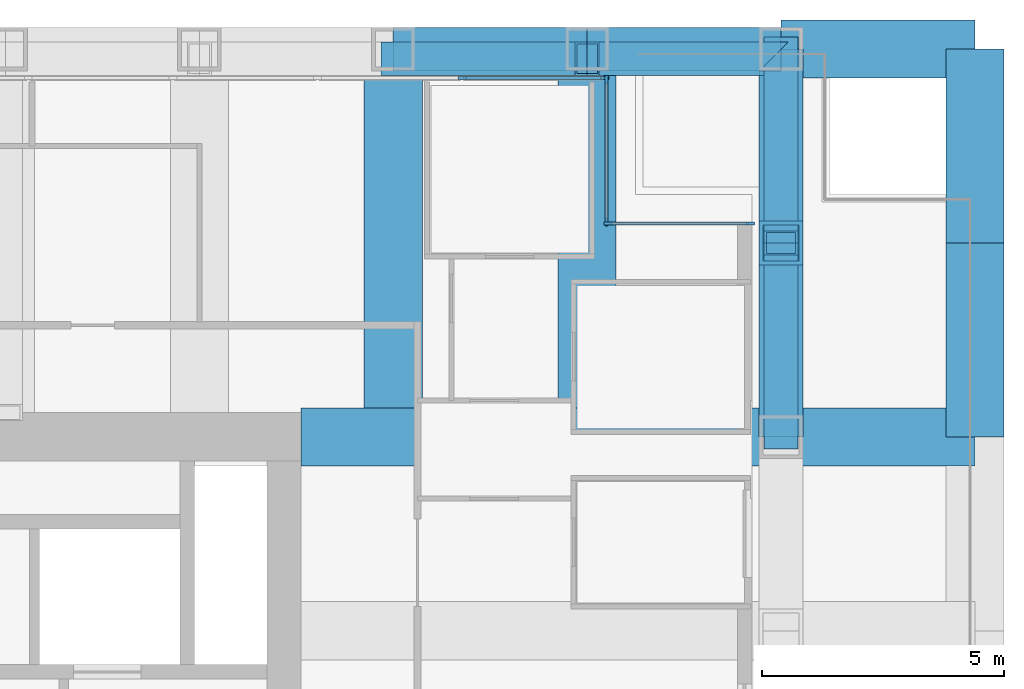
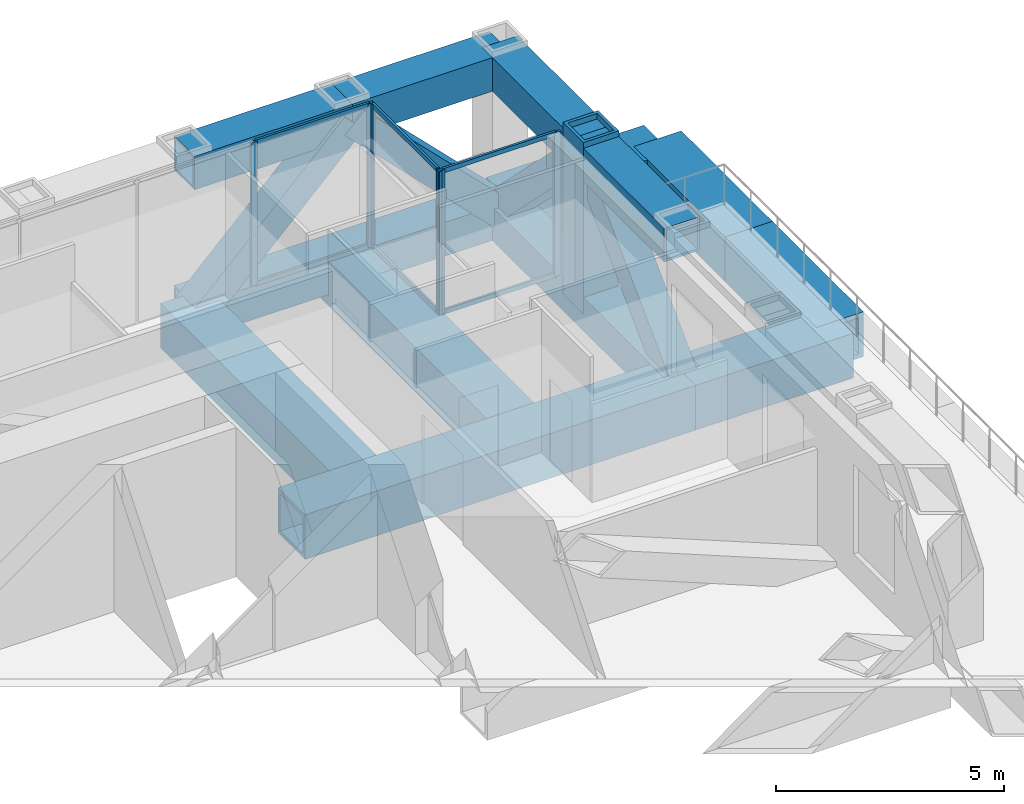
# One storey, part 7 of 14: 17 members, 14 beams, 3 elements without a shape of their own.
"""IFC4 building model written with IfcOpenShell, lengths in metres."""

from ifc_helpers import new_model, si_unit, direction, frame, origin, origin_2d, place, context, subcontext, project, spatial, rectangle, hollow_rectangle, extrude, material, material_profile, profile_set, type_object, element, aggregate, save


model = new_model("IFC4")

# Units and contexts
model_context = context("Model", 3, precision=1e-05, world=origin(), true_north=direction((0.0, 1.0)))
body_context = subcontext(model_context, "Body", "Model", "MODEL_VIEW")
ifc_project = project(units=[si_unit("LENGTHUNIT", "METRE"), si_unit("AREAUNIT", "SQUARE_METRE"), si_unit("VOLUMEUNIT", "CUBIC_METRE"), si_unit("PLANEANGLEUNIT", "RADIAN"), si_unit("MASSUNIT", "GRAM", prefix="KILO")], contexts=[model_context])

# Site, building, storey
site_placement = place(None, origin())
site = spatial("IfcSite", under=ifc_project, at=site_placement, CompositionType="ELEMENT")
building_placement = place(site_placement, origin())
building = spatial("IfcBuilding", under=site, at=building_placement, Name="Rimbunsela Tower", CompositionType="ELEMENT")
storey_placement = place(building_placement, frame((0.0, 0.0, 270.199951171875)))
storey = spatial("IfcBuildingStorey", under=building, at=storey_placement, Name="L65", CompositionType="ELEMENT", Elevation=270.199951171875)

# Beams
ifc_material_1 = material(Name="Steel BJ 55 (fy 410 MPa)", Category="steel")
ifc_material_profile_1 = material_profile(ifc_material_1, hollow_rectangle(XDim=1.199951171875, YDim=1.199951171875, WallThickness=0.10009765625, at=origin_2d()), Name="BOX 1200x1200x100")
ifc_profile_set_1 = profile_set([ifc_material_profile_1], Name="Steel BJ 55 (fy 410 MPa)")
beam_type_1 = type_object("IfcBeamType", Name="Beam BOX 1200x1200x100", PredefinedType="BEAM", material=ifc_profile_set_1)
beam_1_placement = place(storey_placement, frame((36.10009765625, 36.0, -0.75), z_axis=(1.0, 0.0, 0.0), x_axis=(0.0, 1.0, 0.0)))
element("IfcBeam", 1, at=beam_1_placement, inside=storey, type_object=beam_type_1, Name="Beam B5 L65", PredefinedType="BEAM", context=body_context, shape_type="SweptSolid", body=[
    extrude(hollow_rectangle(XDim=1.199951171875, YDim=1.199951171875, WallThickness=0.10009765625, at=origin_2d()), origin(), (0.0, 0.0, 1.0), 9.89990234375),
])
ifc_material_2 = material(Name="Steel BJ 55 (fy 410 MPa)", Category="steel")
ifc_material_profile_2 = material_profile(ifc_material_2, hollow_rectangle(XDim=1.199951171875, YDim=1.199951171875, WallThickness=0.125, at=origin_2d()), Name="BOX 1200x1200x125")
ifc_profile_set_2 = profile_set([ifc_material_profile_2], Name="Steel BJ 55 (fy 410 MPa)")
beam_type_2 = type_object("IfcBeamType", Name="Beam BOX 1200x1200x125", PredefinedType="BEAM", material=ifc_profile_set_2)
for number, where, z_axis, x_axis, name in (
    (2, (38.0, 36.60009765625, -0.75), (0.0, 1.0, 0.0), (-1.0, 0.0, 0.0), "Beam B4 L65"),
    (3, (42.0, 36.60009765625, -0.75), (0.0, 1.0, 0.0), (-1.0, 0.0, 0.0), "Beam B4 L65"),
):
    element("IfcBeam", number, at=place(storey_placement, frame(where, z_axis=z_axis, x_axis=x_axis)), inside=storey, type_object=beam_type_2, Name=name, PredefinedType="BEAM", context=body_context, shape_type="SweptSolid", body=[
        extrude(hollow_rectangle(XDim=1.199951171875, YDim=1.199951171875, WallThickness=0.125, at=origin_2d()), origin(), (0.0, 0.0, 1.0), 7.39990234375),
    ])
for number, where, z_axis, x_axis, name in (
    (4, (46.0, 36.0, -0.75), (1.0, 0.0, 0.0), (0.0, 1.0, 0.0), "Beam B4 L65"),
    (5, (46.0, 44.0, -0.75), (1.0, 0.0, 0.0), (0.0, 1.0, 0.0), "Beam B4 L65"),
    (6, (50.0, 36.0, -0.75), (0.0, 1.0, 0.0), (-1.0, 0.0, 0.0), "Beam B4 L65"),
    (7, (50.0, 40.0, -0.75), (0.0, 1.0, 0.0), (-1.0, 0.0, 0.0), "Beam B4 L65"),
):
    element("IfcBeam", number, at=place(storey_placement, frame(where, z_axis=z_axis, x_axis=x_axis)), inside=storey, type_object=beam_type_2, Name=name, PredefinedType="BEAM", context=body_context, shape_type="SweptSolid", body=[
        extrude(hollow_rectangle(XDim=1.199951171875, YDim=1.199951171875, WallThickness=0.125, at=origin_2d()), origin(), (0.0, 0.0, 1.0), 4.0),
    ])

# Curtain wall, members
ifc_material_3 = material(Name="Aluminium curtain wall", Category="aluminium")
curtain_wall_type_1 = type_object("IfcCurtainWallType", Name="Corner glazing", PredefinedType="USERDEFINED", material=ifc_material_3)
curtain_wall_1_placement = place(storey_placement, origin())
curtain_wall_1 = element("IfcCurtainWall", 8, at=curtain_wall_1_placement, inside=storey, type_object=curtain_wall_type_1, Name="Corner glazing L65", ObjectType="CORNER GLAZING", PredefinedType="USERDEFINED")
ifc_material_4 = material(Name="Aluminium mullion", Category="aluminium")
ifc_material_profile_3 = material_profile(ifc_material_4, rectangle(XDim=0.06005859375, YDim=0.159912109375, at=origin_2d()), Name="Mullion 60x160")
ifc_profile_set_3 = profile_set([ifc_material_profile_3], Name="Aluminium mullion")
member_type_1 = type_object("IfcMemberType", Name="Curtain wall mullion 60x160", PredefinedType="MULLION", material=ifc_profile_set_3)
member_1_placement = place(storey_placement, frame((45.3701171875, 40.39990234375, 0.0), z_axis=(0.0, 0.0, 1.0), x_axis=(0.0, -1.0, 0.0)))
member_1 = element("IfcMember", 9, at=member_1_placement, type_object=member_type_1, Name="CW5 mullion 1", PredefinedType="MULLION", context=body_context, shape_type="SweptSolid", body=[
    extrude(rectangle(XDim=0.06005859375, YDim=0.159912109375, at=origin_2d()), origin(), (0.0, 0.0, 1.0), 3.85009765625),
])
member_2_placement = place(storey_placement, frame((42.429931640625, 40.39990234375, 0.0), z_axis=(0.0, 0.0, 1.0), x_axis=(0.0, -1.0, 0.0)))
member_2 = element("IfcMember", 10, at=member_2_placement, type_object=member_type_1, Name="CW5 mullion 2", PredefinedType="MULLION", context=body_context, shape_type="SweptSolid", body=[
    extrude(rectangle(XDim=0.06005859375, YDim=0.159912109375, at=origin_2d()), origin(), (0.0, 0.0, 1.0), 3.85009765625),
])

curtain_wall_2_placement = place(storey_placement, origin())
curtain_wall_2 = element("IfcCurtainWall", 11, at=curtain_wall_2_placement, inside=storey, type_object=curtain_wall_type_1, Name="Corner glazing L65", ObjectType="CORNER GLAZING", PredefinedType="USERDEFINED")
member_3_placement = place(storey_placement, frame((42.39990234375, 40.429931640625, 0.0), z_axis=(0.0, 0.0, 1.0), x_axis=(-1.0, 0.0, 0.0)))
member_3 = element("IfcMember", 12, at=member_3_placement, type_object=member_type_1, Name="CW5 mullion 1", PredefinedType="MULLION", context=body_context, shape_type="SweptSolid", body=[
    extrude(rectangle(XDim=0.06005859375, YDim=0.159912109375, at=origin_2d()), origin(), (0.0, 0.0, 1.0), 3.85009765625),
])
member_4_placement = place(storey_placement, frame((42.39990234375, 43.3701171875, 0.0), z_axis=(0.0, 0.0, 1.0), x_axis=(-1.0, 0.0, 0.0)))
member_4 = element("IfcMember", 13, at=member_4_placement, type_object=member_type_1, Name="CW5 mullion 2", PredefinedType="MULLION", context=body_context, shape_type="SweptSolid", body=[
    extrude(rectangle(XDim=0.06005859375, YDim=0.159912109375, at=origin_2d()), origin(), (0.0, 0.0, 1.0), 3.85009765625),
])

ifc_material_5 = material(Name="Aluminium curtain wall", Category="aluminium")
curtain_wall_type_2 = type_object("IfcCurtainWallType", Name="Exoskeleton storey infill", PredefinedType="USERDEFINED", material=ifc_material_5)
curtain_wall_3_placement = place(storey_placement, origin())
curtain_wall_3 = element("IfcCurtainWall", 14, at=curtain_wall_3_placement, inside=storey, type_object=curtain_wall_type_2, Name="Exoskeleton storey infill L65", ObjectType="EXOSKELETON STOREY INFILL", PredefinedType="USERDEFINED")
member_5_placement = place(storey_placement, frame((42.3701171875, 43.39990234375, 0.0), z_axis=(0.0, 0.0, 1.0), x_axis=(0.0, -1.0, 0.0)))
member_5 = element("IfcMember", 15, at=member_5_placement, type_object=member_type_1, Name="CW2 mullion 1", PredefinedType="MULLION", context=body_context, shape_type="SweptSolid", body=[
    extrude(rectangle(XDim=0.06005859375, YDim=0.159912109375, at=origin_2d()), origin(), (0.0, 0.0, 1.0), 3.85009765625),
])
member_6_placement = place(storey_placement, frame((39.418212890625, 43.39990234375, 0.0), z_axis=(0.0, 0.0, 1.0), x_axis=(0.0, -1.0, 0.0)))
member_6 = element("IfcMember", 16, at=member_6_placement, type_object=member_type_1, Name="CW2 mullion 2", PredefinedType="MULLION", context=body_context, shape_type="SweptSolid", body=[
    extrude(rectangle(XDim=0.06005859375, YDim=0.159912109375, at=origin_2d()), origin(), (0.0, 0.0, 1.0), 3.85009765625),
])

# Member
ifc_material_6 = material(Name="Aluminium transom", Category="aluminium")
ifc_material_profile_4 = material_profile(ifc_material_6, rectangle(XDim=0.06005859375, YDim=0.1201171875, at=origin_2d()), Name="Transom 60x120")
ifc_profile_set_4 = profile_set([ifc_material_profile_4], Name="Aluminium transom")
member_type_2 = type_object("IfcMemberType", Name="Curtain wall transom 60x120", PredefinedType="USERDEFINED", material=ifc_profile_set_4)
member_7_placement = place(storey_placement, frame((45.340087890625, 40.39990234375, 0.030029296875), z_axis=(-1.0, 0.0, 0.0), x_axis=(0.0, -1.0, 0.0)))
member_7 = element("IfcMember", 17, at=member_7_placement, type_object=member_type_2, Name="CW5 transom 1.1", ObjectType="TRANSOM", PredefinedType="USERDEFINED", context=body_context, shape_type="SweptSolid", body=[
    extrude(rectangle(XDim=0.06005859375, YDim=0.1201171875, at=origin_2d()), origin(), (0.0, 0.0, 1.0), 2.880126953125),
])

member_8_placement = place(storey_placement, frame((45.340087890625, 40.39990234375, 3.820068359375), z_axis=(-1.0, 0.0, 0.0), x_axis=(0.0, -1.0, 0.0)))
member_8 = element("IfcMember", 18, at=member_8_placement, type_object=member_type_2, Name="CW5 transom 1.2", ObjectType="TRANSOM", PredefinedType="USERDEFINED", context=body_context, shape_type="SweptSolid", body=[
    extrude(rectangle(XDim=0.06005859375, YDim=0.1201171875, at=origin_2d()), origin(), (0.0, 0.0, 1.0), 2.880126953125),
])

aggregate(curtain_wall_1, [member_1, member_2, member_7, member_8])

member_9_placement = place(storey_placement, frame((42.39990234375, 40.4599609375, 0.030029296875), z_axis=(0.0, 1.0, 0.0), x_axis=(-1.0, 0.0, 0.0)))
member_9 = element("IfcMember", 19, at=member_9_placement, type_object=member_type_2, Name="CW5 transom 1.1", ObjectType="TRANSOM", PredefinedType="USERDEFINED", context=body_context, shape_type="SweptSolid", body=[
    extrude(rectangle(XDim=0.06005859375, YDim=0.1201171875, at=origin_2d()), origin(), (0.0, 0.0, 1.0), 2.880126953125),
])

member_10_placement = place(storey_placement, frame((42.39990234375, 40.4599609375, 3.820068359375), z_axis=(0.0, 1.0, 0.0), x_axis=(-1.0, 0.0, 0.0)))
member_10 = element("IfcMember", 20, at=member_10_placement, type_object=member_type_2, Name="CW5 transom 1.2", ObjectType="TRANSOM", PredefinedType="USERDEFINED", context=body_context, shape_type="SweptSolid", body=[
    extrude(rectangle(XDim=0.06005859375, YDim=0.1201171875, at=origin_2d()), origin(), (0.0, 0.0, 1.0), 2.880126953125),
])

aggregate(curtain_wall_2, [member_3, member_4, member_9, member_10])

member_11_placement = place(storey_placement, frame((42.340087890625, 43.39990234375, 0.030029296875), z_axis=(-1.0, 0.0, 0.0), x_axis=(0.0, -1.0, 0.0)))
member_11 = element("IfcMember", 21, at=member_11_placement, type_object=member_type_2, Name="CW2 transom 1.1", ObjectType="TRANSOM", PredefinedType="USERDEFINED", context=body_context, shape_type="SweptSolid", body=[
    extrude(rectangle(XDim=0.06005859375, YDim=0.1201171875, at=origin_2d()), origin(), (0.0, 0.0, 1.0), 2.891845703125),
])

member_12_placement = place(storey_placement, frame((42.340087890625, 43.39990234375, 3.820068359375), z_axis=(-1.0, 0.0, 0.0), x_axis=(0.0, -1.0, 0.0)))
member_12 = element("IfcMember", 22, at=member_12_placement, type_object=member_type_2, Name="CW2 transom 1.2", ObjectType="TRANSOM", PredefinedType="USERDEFINED", context=body_context, shape_type="SweptSolid", body=[
    extrude(rectangle(XDim=0.06005859375, YDim=0.1201171875, at=origin_2d()), origin(), (0.0, 0.0, 1.0), 2.891845703125),
])

aggregate(curtain_wall_3, [member_5, member_6, member_11, member_12])

# Beams
ifc_material_7 = material(Name="Steel BJ 55 (fy 410 MPa)", Category="steel")
ifc_material_profile_5 = material_profile(ifc_material_7, hollow_rectangle(XDim=0.89990234375, YDim=0.89990234375, WallThickness=0.06005859375, at=origin_2d()), Name="BOX 900x900x60")
ifc_profile_set_5 = profile_set([ifc_material_profile_5], Name="Steel BJ 55 (fy 410 MPa)")
beam_type_3 = type_object("IfcBeamType", Name="Truss chord BOX 900x900x60", PredefinedType="USERDEFINED", material=ifc_profile_set_5)
for number, where, z_axis, x_axis, name in (
    (23, (38.0, 44.0, 3.400146484375), (1.0, 0.0, 0.0), (0.0, 1.0, 0.0), "Truss top chord TC4 N face L65"),
    (24, (42.0, 44.0, 3.400146484375), (1.0, 0.0, 0.0), (0.0, 1.0, 0.0), "Truss top chord TC4 N face L65"),
    (25, (46.0, 36.0, 3.400146484375), (0.0, 1.0, 0.0), (-1.0, 0.0, 0.0), "Truss top chord TC4 E face L65"),
    (26, (46.0, 40.0, 3.400146484375), (0.0, 1.0, 0.0), (-1.0, 0.0, 0.0), "Truss top chord TC4 E face L65"),
    (27, (38.0, 44.0, -0.599853515625), (1.0, 0.0, 0.0), (0.0, 1.0, 0.0), "Truss bottom chord TC4 N face L65"),
    (28, (42.0, 44.0, -0.599853515625), (1.0, 0.0, 0.0), (0.0, 1.0, 0.0), "Truss bottom chord TC4 N face L65"),
):
    element("IfcBeam", number, at=place(storey_placement, frame(where, z_axis=z_axis, x_axis=x_axis)), inside=storey, type_object=beam_type_3, Name=name, ObjectType="TRUSS CHORD", PredefinedType="USERDEFINED", context=body_context, shape_type="SweptSolid", body=[
        extrude(hollow_rectangle(XDim=0.89990234375, YDim=0.89990234375, WallThickness=0.06005859375, at=origin_2d()), origin(), (0.0, 0.0, 1.0), 4.0),
    ])
beam_2_placement = place(storey_placement, frame((46.0, 36.0, -0.599853515625), z_axis=(0.0, 1.0, 0.0), x_axis=(-1.0, 0.0, 0.0)))
element("IfcBeam", 29, at=beam_2_placement, inside=storey, type_object=beam_type_3, Name="Truss bottom chord TC4 E face L65", ObjectType="TRUSS CHORD", PredefinedType="USERDEFINED", context=body_context, shape_type="SweptSolid", body=[
    extrude(hollow_rectangle(XDim=0.89990234375, YDim=0.89990234375, WallThickness=0.06005859375, at=origin_2d()), origin(), (0.0, 0.0, 1.0), 8.0),
])

# Members
ifc_material_8 = material(Name="Steel BJ 55 (fy 410 MPa)", Category="steel")
ifc_material_profile_6 = material_profile(ifc_material_8, hollow_rectangle(XDim=0.699951171875, YDim=0.699951171875, WallThickness=0.050048828125, at=origin_2d()), Name="BOX 700x700x50")
ifc_profile_set_6 = profile_set([ifc_material_profile_6], Name="Steel BJ 55 (fy 410 MPa)")
member_type_3 = type_object("IfcMemberType", Name="Truss diagonal BOX 700x700x50", PredefinedType="BRACE", material=ifc_profile_set_6)
for number, where, z_axis, x_axis, name in (
    (30, (38.0, 43.800048828125, -0.599853515625), (0.707106781187, 0.0, 0.707106781187), (0.0, 1.0, 0.0), "Truss diagonal TD4 N face L65"),
    (31, (42.0, 43.800048828125, 3.400146484375), (0.707106781187, 0.0, -0.707106781187), (0.0, 1.0, 0.0), "Truss diagonal TD4 N face L65"),
    (32, (46.0, 36.0, -0.599853515625), (0.0, 0.707106781187, 0.707106781187), (-1.0, 0.0, 0.0), "Truss diagonal TD4 E face L65"),
    (33, (46.0, 40.0, 3.400146484375), (0.0, 0.707106781187, -0.707106781187), (-1.0, 0.0, 0.0), "Truss diagonal TD4 E face L65"),
):
    element("IfcMember", number, at=place(storey_placement, frame(where, z_axis=z_axis, x_axis=x_axis)), inside=storey, type_object=member_type_3, Name=name, PredefinedType="BRACE", context=body_context, shape_type="SweptSolid", body=[
        extrude(hollow_rectangle(XDim=0.699951171875, YDim=0.699951171875, WallThickness=0.050048828125, at=origin_2d()), origin(), (0.0, 0.0, 1.0), 5.65673828125),
    ])
ifc_material_9 = material(Name="Steel BJ 55 (fy 410 MPa)", Category="steel")
ifc_material_profile_7 = material_profile(ifc_material_9, hollow_rectangle(XDim=0.89990234375, YDim=0.89990234375, WallThickness=0.080078125, at=origin_2d()), Name="BOX 900x900x80")
ifc_profile_set_7 = profile_set([ifc_material_profile_7], Name="Steel BJ 55 (fy 410 MPa)")
member_type_4 = type_object("IfcMemberType", Name="Truss post BOX 900x900x80", PredefinedType="POST", material=ifc_profile_set_7)
member_13_placement = place(storey_placement, frame((46.0, 40.0, -0.599853515625), z_axis=(0.0, 0.0, 1.0), x_axis=(1.0, 0.0, 0.0)))
element("IfcMember", 34, at=member_13_placement, inside=storey, type_object=member_type_4, Name="Truss post TP3 14/M L65", PredefinedType="POST", context=body_context, shape_type="SweptSolid", body=[
    extrude(hollow_rectangle(XDim=0.89990234375, YDim=0.89990234375, WallThickness=0.080078125, at=origin_2d()), origin(), (0.0, 0.0, 1.0), 4.599853515625),
])

save(model, "model.ifc")
